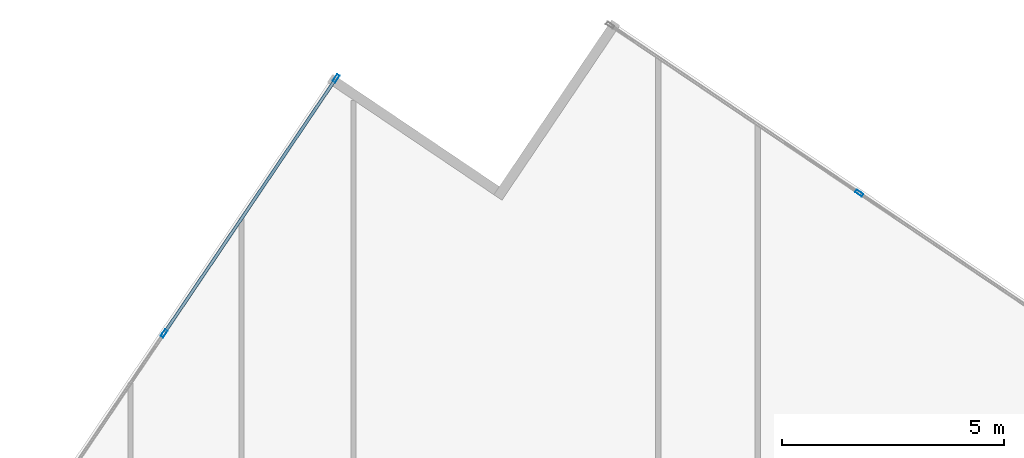
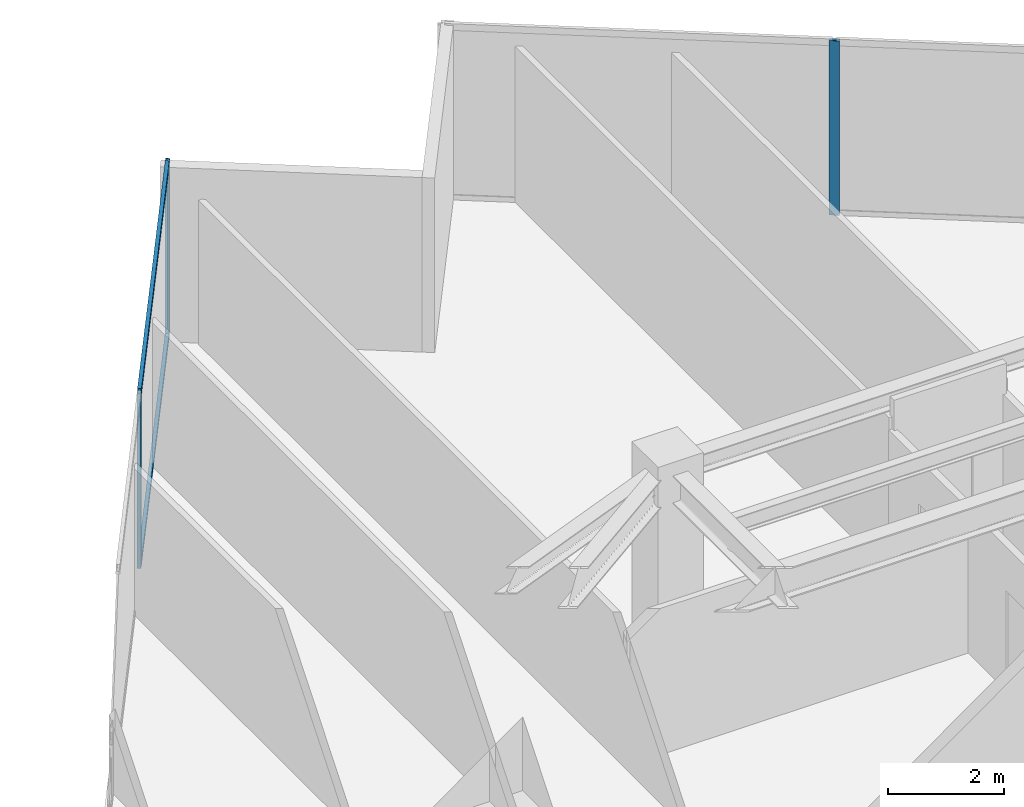
# One storey, part 16 of 27: 5 members, 2 elements without a shape of their own.
"""IFC4 building model written with IfcOpenShell, lengths in metres."""

import ifcopenshell
import ifcopenshell.guid

model = None  # the IFC model being written
_history = None  # IfcOwnerHistory: only IFC2X3 demands one
_inside = {}  # id of a spatial element -> (the spatial element, [elements in it])
_under = {}  # id of a project, library or spatial element -> (it, [spatial elements below it])
_declared = {}  # id of a project -> (the project, [libraries it declares])
_typed = {}  # id of a type object -> (the type object, [elements of that type])
_made_of = {}  # id of a material, layer set ... -> (it, [elements and type objects made of it])


def new_model(schema):
    """Start an empty IFC model of exactly this schema.

    Asked for "IFC4X3", IfcOpenShell would pick the latest addendum, in which some entities
    have other attributes; the version numbers below select the first issue.
    IFC2X3 requires an IfcOwnerHistory on every rooted entity: one is made here for all.
    """
    global model, _history
    if schema == "IFC4X3":
        model = ifcopenshell.file(schema_version=(4, 3, 0, 0))
    else:
        model = ifcopenshell.file(schema=schema)
    _inside.clear()
    _under.clear()
    _declared.clear()
    _typed.clear()
    _made_of.clear()
    _history = None
    if model.schema == "IFC2X3":
        org = make("IfcOrganization", Name="unknown")
        user = make(
            "IfcPersonAndOrganization",
            ThePerson=make("IfcPerson", FamilyName="unknown"),
            TheOrganization=org,
        )
        app = make(
            "IfcApplication",
            ApplicationDeveloper=org,
            Version="unknown",
            ApplicationFullName="unknown",
            ApplicationIdentifier="unknown",
        )
        _history = make(
            "IfcOwnerHistory",
            OwningUser=user,
            OwningApplication=app,
            ChangeAction="ADDED",
            CreationDate=0,
        )
    return model


def make(cls, **values):
    """One entity of the class cls with the attributes given. An attribute that is None is left unset."""
    return model.create_entity(
        cls, **{name: value for name, value in values.items() if value is not None}
    )


def rooted(cls, **values):
    """An entity with a GlobalId (a new one), such as an element, a storey or a relation."""
    return make(cls, GlobalId=ifcopenshell.guid.new(), OwnerHistory=_history, **values)


def si_unit(unit_type, name, prefix=None):
    """IfcSIUnit, for example si_unit("LENGTHUNIT", "METRE", prefix="MILLI")."""
    return make("IfcSIUnit", UnitType=unit_type, Prefix=prefix, Name=name)


def assignment(units):
    """IfcUnitAssignment: the units of a project."""
    return None if units is None else make("IfcUnitAssignment", Units=units)


def point(xyz):
    """IfcCartesianPoint."""
    return None if xyz is None else make("IfcCartesianPoint", Coordinates=xyz)


def direction(xyz):
    """IfcDirection."""
    return None if xyz is None else make("IfcDirection", DirectionRatios=xyz)


def frame(location, z_axis=None, x_axis=None):
    """IfcAxis2Placement3D, a coordinate frame: its origin and axes. An axis left out is left unset."""
    return make(
        "IfcAxis2Placement3D",
        Location=point(location),
        Axis=direction(z_axis),
        RefDirection=direction(x_axis),
    )


def frame_2d(location, x_axis=None):
    """IfcAxis2Placement2D, a coordinate frame in the plane: its origin and x axis."""
    return make(
        "IfcAxis2Placement2D", Location=point(location), RefDirection=direction(x_axis)
    )


def origin():
    """The frame at (0, 0, 0) with its axes left unset."""
    return frame((0.0, 0.0, 0.0))


def origin_2d():
    """The frame at (0, 0) in the plane with its x axis left unset."""
    return frame_2d((0.0, 0.0))


def place(relative_to, where):
    """IfcLocalPlacement: puts the frame where relative to a parent placement (None: the world)."""
    return make(
        "IfcLocalPlacement", PlacementRelTo=relative_to, RelativePlacement=where
    )


def context(
    kind, dimensions, precision=None, world=None, true_north=None, identifier=None
):
    """IfcGeometricRepresentationContext, for example the 3D "Model" context."""
    return make(
        "IfcGeometricRepresentationContext",
        ContextIdentifier=identifier,
        ContextType=kind,
        CoordinateSpaceDimension=dimensions,
        Precision=precision,
        WorldCoordinateSystem=world,
        TrueNorth=true_north,
    )


def subcontext(parent, identifier, kind, view, scale=None):
    """IfcGeometricRepresentationSubContext, for example "Body" below "Model"."""
    return make(
        "IfcGeometricRepresentationSubContext",
        ContextIdentifier=identifier,
        ContextType=kind,
        ParentContext=parent,
        TargetScale=scale,
        TargetView=view,
    )


def project(units=None, contexts=None):
    """IfcProject with its units and contexts."""
    return rooted(
        "IfcProject",
        Name="project",
        RepresentationContexts=contexts,
        UnitsInContext=assignment(units),
    )


def spatial(cls, under=None, at=None, **own):
    """A site, building, storey or space (cls), placed at a placement, below another one or the project."""
    s = rooted(cls, ObjectPlacement=at, **own)
    if under is not None:
        _under.setdefault(under.id(), (under, []))[1].append(s)
    return s


def profile(cls, at=None, kind="AREA", **sizes):
    """A parametric profile (cls). Its sizes go by their IFC names, for example OverallWidth=200.0."""
    return make(cls, ProfileType=kind, Position=at, **sizes)


def hollow_rectangle(**sizes):
    """IfcRectangleHollowProfileDef."""
    return profile("IfcRectangleHollowProfileDef", **sizes)


def extrude(swept, where, along, depth):
    """IfcExtrudedAreaSolid: the profile swept, set in the frame where, extruded along a direction by depth."""
    return make(
        "IfcExtrudedAreaSolid",
        SweptArea=swept,
        Position=where,
        ExtrudedDirection=direction(along),
        Depth=depth,
    )


def shape(context_of_items, identifier, shape_type, items):
    """IfcShapeRepresentation: the items that make up one representation, for example the "Body"."""
    return make(
        "IfcShapeRepresentation",
        ContextOfItems=context_of_items,
        RepresentationIdentifier=identifier,
        RepresentationType=shape_type,
        Items=items,
    )


def source(mapping_origin, context_of_items, identifier, shape_type, items):
    """IfcRepresentationMap: a shape defined once, which mapped items show again and again."""
    return make(
        "IfcRepresentationMap",
        MappingOrigin=mapping_origin,
        MappedRepresentation=shape(context_of_items, identifier, shape_type, items),
    )


def transform(
    local_origin,
    x_axis=None,
    y_axis=None,
    z_axis=None,
    scale=None,
    scale2=None,
    scale3=None,
    uniform=True,
):
    """IfcCartesianTransformationOperator3D, or its non-uniform kind. x_axis, y_axis, z_axis: its Axis1, 2, 3."""
    if uniform:
        return make(
            "IfcCartesianTransformationOperator3D",
            Axis1=direction(x_axis),
            Axis2=direction(y_axis),
            LocalOrigin=point(local_origin),
            Scale=scale,
            Axis3=direction(z_axis),
        )
    return make(
        "IfcCartesianTransformationOperator3DnonUniform",
        Axis1=direction(x_axis),
        Axis2=direction(y_axis),
        LocalOrigin=point(local_origin),
        Scale=scale,
        Axis3=direction(z_axis),
        Scale2=scale2,
        Scale3=scale3,
    )


def mapped(mapping_source, mapping_target):
    """IfcMappedItem: shows the shape of a source again, moved by a transform."""
    return make(
        "IfcMappedItem", MappingSource=mapping_source, MappingTarget=mapping_target
    )


def material(Name=None, Category=None):
    """IfcMaterial."""
    return make("IfcMaterial", Name=Name, Category=Category)


def material_profile(
    of_material, cross_section, Name=None, Category=None, Priority=None
):
    """IfcMaterialProfile: a cross section and its material."""
    return make(
        "IfcMaterialProfile",
        Name=Name,
        Material=of_material,
        Profile=cross_section,
        Priority=Priority,
        Category=Category,
    )


def profile_set(profiles, Name=None, composite=None):
    """IfcMaterialProfileSet."""
    return make(
        "IfcMaterialProfileSet",
        Name=Name,
        MaterialProfiles=profiles,
        CompositeProfile=composite,
    )


def made_of(thing, what):
    """Note that an element or type object is made of a material, layer set ...; save() writes the relation."""
    if what is not None:
        _made_of.setdefault(what.id(), (what, []))[1].append(thing)
    return thing


def type_object(cls, material=None, **own):
    """A type object (cls), such as IfcWallType, which elements share."""
    return made_of(rooted(cls, **own), material)


def type_shapes(of_type, sources):
    """Give a type object the sources (RepresentationMaps) that its elements show as mapped items."""
    of_type.RepresentationMaps = sources


def element(
    cls,
    number,
    at=None,
    inside=None,
    cuts=None,
    type_object=None,
    material=None,
    context=None,
    identifier="Body",
    shape_type=None,
    held_by="IfcProductDefinitionShape",
    body=None,
    shapes=None,
    **own,
):
    """One element of the class cls, such as IfcWall. Its Tag is "e" and its number.

    at: its placement. inside: the storey or other place that contains it. cuts: it is an
    opening in that element (IfcRelVoidsElement). A single representation is given by context,
    identifier, shape_type and body (its items); several are given by shapes. held_by: the class
    of the entity that holds the representations. save() writes the other relations.
    """
    e = rooted(cls, Tag="e%d" % number, ObjectPlacement=at, **own)
    if body is not None:
        shapes = [shape(context, identifier, shape_type, body)]
    if shapes is not None:
        e.Representation = make(held_by, Representations=shapes)
    if inside is not None:
        _inside.setdefault(inside.id(), (inside, []))[1].append(e)
    if cuts is not None:
        rooted(
            "IfcRelVoidsElement", RelatingBuildingElement=cuts, RelatedOpeningElement=e
        )
    if type_object is not None:
        _typed.setdefault(type_object.id(), (type_object, []))[1].append(e)
    return made_of(e, material)


def aggregate(whole, parts):
    """IfcRelAggregates: a whole, such as a stair, and the parts it consists of."""
    return rooted("IfcRelAggregates", RelatingObject=whole, RelatedObjects=parts)


def save(model, path):
    """Write the relations noted so far, then the file.

    IfcRelAggregates (storeys below a building ...), IfcRelContainedInSpatialStructure (elements
    in a storey), IfcRelDefinesByType, IfcRelAssociatesMaterial and IfcRelDeclares: one each for
    every whole, place, type object, material and project.
    """
    for whole, parts in _under.values():
        aggregate(whole, parts)
    for where, things in _inside.values():
        rooted(
            "IfcRelContainedInSpatialStructure",
            RelatedElements=things,
            RelatingStructure=where,
        )
    for kind, things in _typed.values():
        rooted("IfcRelDefinesByType", RelatedObjects=things, RelatingType=kind)
    for what, things in _made_of.values():
        rooted("IfcRelAssociatesMaterial", RelatedObjects=things, RelatingMaterial=what)
    for by, libraries in _declared.values():
        rooted("IfcRelDeclares", RelatingContext=by, RelatedDefinitions=libraries)
    model.write(path)


model = new_model("IFC4")

# Units and contexts
model_context = context("Model", 3, precision=1e-05, world=origin(), true_north=direction((0.0, 1.0)))
body_context = subcontext(model_context, "Body", "Model", "MODEL_VIEW")
ifc_project = project(units=[si_unit("LENGTHUNIT", "METRE"), si_unit("AREAUNIT", "SQUARE_METRE"), si_unit("VOLUMEUNIT", "CUBIC_METRE"), si_unit("PLANEANGLEUNIT", "RADIAN"), si_unit("MASSUNIT", "GRAM", prefix="KILO")], contexts=[model_context])

# Site, building, storey
site_placement = place(None, origin())
site = spatial("IfcSite", under=ifc_project, at=site_placement, CompositionType="ELEMENT")
building_placement = place(site_placement, origin())
building = spatial("IfcBuilding", under=site, at=building_placement, Name="Krantzveldt Concourse Tower", CompositionType="ELEMENT")
storey_placement = place(building_placement, frame((0.0, 0.0, 189.64990234375)))
storey = spatial("IfcBuildingStorey", under=building, at=storey_placement, Name="L46", CompositionType="ELEMENT", Elevation=189.64990234375)

# Curtain wall, members
ifc_material = material(Name="Anodised aluminium 6063-T6", Category="aluminium")
curtain_wall_type = type_object("IfcCurtainWallType", Name="CW3", PredefinedType="USERDEFINED", material=ifc_material)
curtain_wall_1_placement = place(storey_placement, origin())
curtain_wall_1 = element("IfcCurtainWall", 1, at=curtain_wall_1_placement, inside=storey, type_object=curtain_wall_type, Name="CW-L46-F01", ObjectType="UNITISED CURTAIN WALL", PredefinedType="USERDEFINED")
ifc_material_profile_1 = material_profile(ifc_material, hollow_rectangle(XDim=0.070068359375, YDim=0.179931640625, WallThickness=0.0048828125, at=origin_2d()), Name="Anodised aluminium 6063-T6", Category="aluminium")
ifc_profile_set_1 = profile_set([ifc_material_profile_1], Name="Anodised aluminium 6063-T6 - ALU-MULL 180x70x5")
member_type_1 = type_object("IfcMemberType", Name="CW-MUL-180", PredefinedType="MULLION", material=ifc_profile_set_1)
shared_shape_1 = source(origin(), body_context, "Body", "SweptSolid", [
    extrude(hollow_rectangle(XDim=0.070068359375, YDim=0.179931640625, WallThickness=0.0048828125, at=origin_2d()), origin(), (0.0, 0.0, 1.0), 3.670166015625),
])
type_shapes(member_type_1, [shared_shape_1])
member_1_placement = place(storey_placement, frame((27.629150390625, 53.292236328125, 0.0), z_axis=(0.0, 0.0, 1.0), x_axis=(0.829037635301, -0.559192810447, 0.0)))
member_1 = element("IfcMember", 2, at=member_1_placement, type_object=member_type_1, Name="CW-Z34 mullion 1", PredefinedType="MULLION", context=body_context, shape_type="MappedRepresentation", body=[
    mapped(shared_shape_1, transform((0.0, 0.0, 0.0), x_axis=(1.0, 0.0, 0.0), y_axis=(0.0, 1.0, 0.0), z_axis=(0.0, 0.0, 1.0), scale=1.0)),
])
member_2_placement = place(storey_placement, frame((23.756591796875, 47.55126953125, 0.0), z_axis=(0.0, 0.0, 1.0), x_axis=(0.829037635301, -0.559192810447, 0.0)))
member_2 = element("IfcMember", 3, at=member_2_placement, type_object=member_type_1, Name="CW-Z34 mullion 2", PredefinedType="MULLION", context=body_context, shape_type="MappedRepresentation", body=[
    mapped(shared_shape_1, transform((0.0, 0.0, 0.0), x_axis=(1.0, 0.0, 0.0), y_axis=(0.0, 1.0, 0.0), z_axis=(0.0, 0.0, 1.0), scale=1.0)),
])

# Curtain wall, member
curtain_wall_2_placement = place(storey_placement, origin())
curtain_wall_2 = element("IfcCurtainWall", 4, at=curtain_wall_2_placement, inside=storey, type_object=curtain_wall_type, Name="CW-L46-F14", ObjectType="UNITISED CURTAIN WALL", PredefinedType="USERDEFINED")
member_3_placement = place(storey_placement, frame((39.408203125, 50.708740234375, 0.0), z_axis=(0.0, 0.0, 1.0), x_axis=(-0.559192760874, -0.829037668737, 0.0)))
member_3 = element("IfcMember", 5, at=member_3_placement, type_object=member_type_1, Name="CW-Z34 mullion 2", PredefinedType="MULLION", context=body_context, shape_type="MappedRepresentation", body=[
    mapped(shared_shape_1, transform((0.0, 0.0, 0.0), x_axis=(1.0, 0.0, 0.0), y_axis=(0.0, 1.0, 0.0), z_axis=(0.0, 0.0, 1.0), scale=1.0)),
])
aggregate(curtain_wall_2, [member_3])

# Member
ifc_material_profile_2 = material_profile(ifc_material, hollow_rectangle(XDim=0.070068359375, YDim=0.139892578125, WallThickness=0.0048828125, at=origin_2d()), Name="Anodised aluminium 6063-T6", Category="aluminium")
ifc_profile_set_2 = profile_set([ifc_material_profile_2], Name="Anodised aluminium 6063-T6 - ALU-TRAN 140x70x5")
member_type_2 = type_object("IfcMemberType", Name="CW-TRN-150", PredefinedType="USERDEFINED", material=ifc_profile_set_2)
shared_shape_2 = source(origin(), body_context, "Body", "SweptSolid", [
    extrude(hollow_rectangle(XDim=0.070068359375, YDim=0.139892578125, WallThickness=0.0048828125, at=origin_2d()), origin(), (0.0, 0.0, 1.0), 6.85498046875),
])
type_shapes(member_type_2, [shared_shape_2])
member_4_placement = place(storey_placement, frame((27.609375, 53.26318359375, 0.03515625), z_axis=(-0.559187781281, -0.829041027493, 0.0), x_axis=(0.829041027493, -0.559187781281, 0.0)))
member_4 = element("IfcMember", 6, at=member_4_placement, type_object=member_type_2, Name="CW-Z34 transom 1.1", ObjectType="TRANSOM", PredefinedType="USERDEFINED", context=body_context, shape_type="MappedRepresentation", body=[
    mapped(shared_shape_2, transform((0.0, 0.0, 0.0), x_axis=(1.0, 0.0, 0.0), y_axis=(0.0, 1.0, 0.0), z_axis=(0.0, 0.0, 1.0), scale=1.0)),
])

member_5_placement = place(storey_placement, frame((27.609375, 53.26318359375, 3.635009765625), z_axis=(-0.559187781281, -0.829041027493, 0.0), x_axis=(0.829041027493, -0.559187781281, 0.0)))
member_5 = element("IfcMember", 7, at=member_5_placement, type_object=member_type_2, Name="CW-Z34 transom 1.2", ObjectType="TRANSOM", PredefinedType="USERDEFINED", context=body_context, shape_type="MappedRepresentation", body=[
    mapped(shared_shape_2, transform((0.0, 0.0, 0.0), x_axis=(1.0, 0.0, 0.0), y_axis=(0.0, 1.0, 0.0), z_axis=(0.0, 0.0, 1.0), scale=1.0)),
])

aggregate(curtain_wall_1, [member_1, member_2, member_4, member_5])

save(model, "model.ifc")
